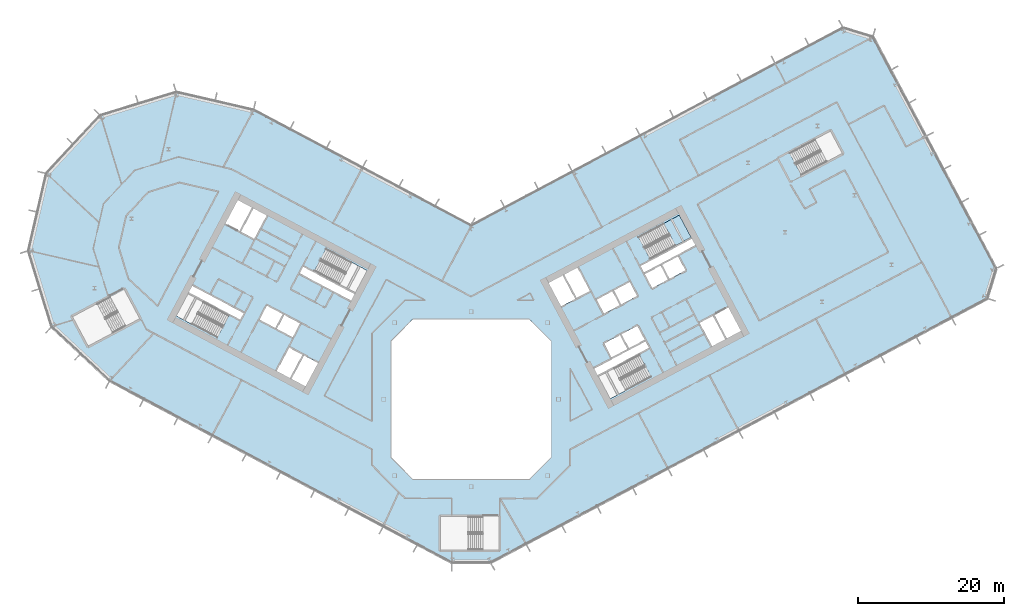
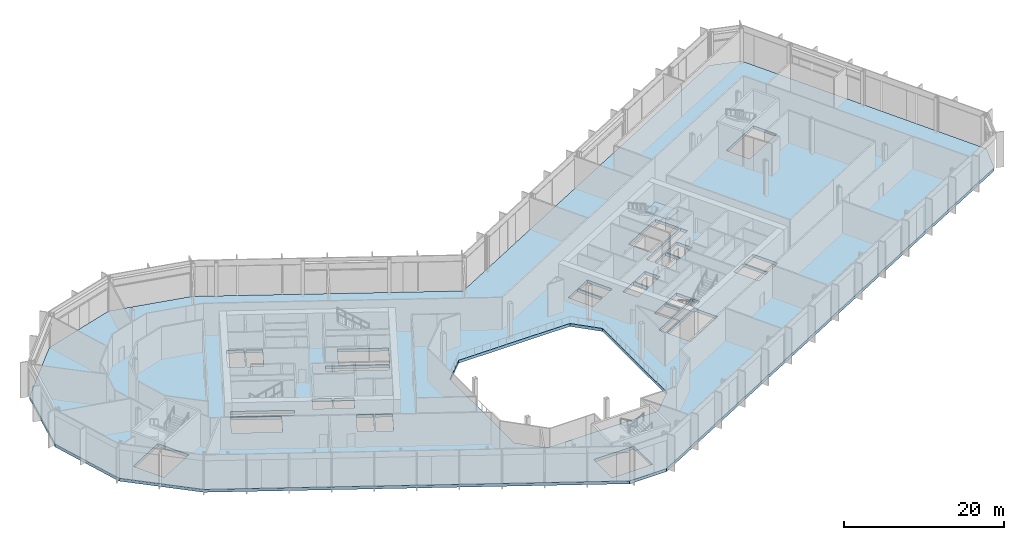
# One storey, part 10 of 31: 2 slabs, 1 element without a shape of its own.
"""IFC4 building model written with IfcOpenShell, lengths in metres."""

import ifcopenshell
import ifcopenshell.guid

model = None  # the IFC model being written
_history = None  # IfcOwnerHistory: only IFC2X3 demands one
_inside = {}  # id of a spatial element -> (the spatial element, [elements in it])
_under = {}  # id of a project, library or spatial element -> (it, [spatial elements below it])
_declared = {}  # id of a project -> (the project, [libraries it declares])
_typed = {}  # id of a type object -> (the type object, [elements of that type])
_made_of = {}  # id of a material, layer set ... -> (it, [elements and type objects made of it])


def new_model(schema):
    """Start an empty IFC model of exactly this schema.

    Asked for "IFC4X3", IfcOpenShell would pick the latest addendum, in which some entities
    have other attributes; the version numbers below select the first issue.
    IFC2X3 requires an IfcOwnerHistory on every rooted entity: one is made here for all.
    """
    global model, _history
    if schema == "IFC4X3":
        model = ifcopenshell.file(schema_version=(4, 3, 0, 0))
    else:
        model = ifcopenshell.file(schema=schema)
    _inside.clear()
    _under.clear()
    _declared.clear()
    _typed.clear()
    _made_of.clear()
    _history = None
    if model.schema == "IFC2X3":
        org = make("IfcOrganization", Name="unknown")
        user = make(
            "IfcPersonAndOrganization",
            ThePerson=make("IfcPerson", FamilyName="unknown"),
            TheOrganization=org,
        )
        app = make(
            "IfcApplication",
            ApplicationDeveloper=org,
            Version="unknown",
            ApplicationFullName="unknown",
            ApplicationIdentifier="unknown",
        )
        _history = make(
            "IfcOwnerHistory",
            OwningUser=user,
            OwningApplication=app,
            ChangeAction="ADDED",
            CreationDate=0,
        )
    return model


def make(cls, **values):
    """One entity of the class cls with the attributes given. An attribute that is None is left unset."""
    return model.create_entity(
        cls, **{name: value for name, value in values.items() if value is not None}
    )


def rooted(cls, **values):
    """An entity with a GlobalId (a new one), such as an element, a storey or a relation."""
    return make(cls, GlobalId=ifcopenshell.guid.new(), OwnerHistory=_history, **values)


def si_unit(unit_type, name, prefix=None):
    """IfcSIUnit, for example si_unit("LENGTHUNIT", "METRE", prefix="MILLI")."""
    return make("IfcSIUnit", UnitType=unit_type, Prefix=prefix, Name=name)


def assignment(units):
    """IfcUnitAssignment: the units of a project."""
    return None if units is None else make("IfcUnitAssignment", Units=units)


def point(xyz):
    """IfcCartesianPoint."""
    return None if xyz is None else make("IfcCartesianPoint", Coordinates=xyz)


def direction(xyz):
    """IfcDirection."""
    return None if xyz is None else make("IfcDirection", DirectionRatios=xyz)


def frame(location, z_axis=None, x_axis=None):
    """IfcAxis2Placement3D, a coordinate frame: its origin and axes. An axis left out is left unset."""
    return make(
        "IfcAxis2Placement3D",
        Location=point(location),
        Axis=direction(z_axis),
        RefDirection=direction(x_axis),
    )


def origin():
    """The frame at (0, 0, 0) with its axes left unset."""
    return frame((0.0, 0.0, 0.0))


def place(relative_to, where):
    """IfcLocalPlacement: puts the frame where relative to a parent placement (None: the world)."""
    return make(
        "IfcLocalPlacement", PlacementRelTo=relative_to, RelativePlacement=where
    )


def context(
    kind, dimensions, precision=None, world=None, true_north=None, identifier=None
):
    """IfcGeometricRepresentationContext, for example the 3D "Model" context."""
    return make(
        "IfcGeometricRepresentationContext",
        ContextIdentifier=identifier,
        ContextType=kind,
        CoordinateSpaceDimension=dimensions,
        Precision=precision,
        WorldCoordinateSystem=world,
        TrueNorth=true_north,
    )


def subcontext(parent, identifier, kind, view, scale=None):
    """IfcGeometricRepresentationSubContext, for example "Body" below "Model"."""
    return make(
        "IfcGeometricRepresentationSubContext",
        ContextIdentifier=identifier,
        ContextType=kind,
        ParentContext=parent,
        TargetScale=scale,
        TargetView=view,
    )


def project(units=None, contexts=None):
    """IfcProject with its units and contexts."""
    return rooted(
        "IfcProject",
        Name="project",
        RepresentationContexts=contexts,
        UnitsInContext=assignment(units),
    )


def spatial(cls, under=None, at=None, **own):
    """A site, building, storey or space (cls), placed at a placement, below another one or the project."""
    s = rooted(cls, ObjectPlacement=at, **own)
    if under is not None:
        _under.setdefault(under.id(), (under, []))[1].append(s)
    return s


def polyline(points):
    """IfcPolyline through the points."""
    return make("IfcPolyline", Points=[point(p) for p in points])


def outline(outer, holes=None, kind="AREA"):
    """IfcArbitraryClosedProfileDef: a profile drawn as a closed curve; with holes, ...WithVoids."""
    if holes is None:
        return make("IfcArbitraryClosedProfileDef", ProfileType=kind, OuterCurve=outer)
    return make(
        "IfcArbitraryProfileDefWithVoids",
        ProfileType=kind,
        OuterCurve=outer,
        InnerCurves=holes,
    )


def extrude(swept, where, along, depth):
    """IfcExtrudedAreaSolid: the profile swept, set in the frame where, extruded along a direction by depth."""
    return make(
        "IfcExtrudedAreaSolid",
        SweptArea=swept,
        Position=where,
        ExtrudedDirection=direction(along),
        Depth=depth,
    )


def shape(context_of_items, identifier, shape_type, items):
    """IfcShapeRepresentation: the items that make up one representation, for example the "Body"."""
    return make(
        "IfcShapeRepresentation",
        ContextOfItems=context_of_items,
        RepresentationIdentifier=identifier,
        RepresentationType=shape_type,
        Items=items,
    )


def material(Name=None, Category=None):
    """IfcMaterial."""
    return make("IfcMaterial", Name=Name, Category=Category)


def layer(
    of_material, thickness, ventilated=None, Name=None, Category=None, Priority=None
):
    """IfcMaterialLayer: one layer of a wall or slab, of a material (None: an air gap)."""
    return make(
        "IfcMaterialLayer",
        Material=of_material,
        LayerThickness=thickness,
        IsVentilated=ventilated,
        Name=Name,
        Category=Category,
        Priority=Priority,
    )


def layer_set(layers, Name=None):
    """IfcMaterialLayerSet."""
    return make("IfcMaterialLayerSet", MaterialLayers=layers, LayerSetName=Name)


def made_of(thing, what):
    """Note that an element or type object is made of a material, layer set ...; save() writes the relation."""
    if what is not None:
        _made_of.setdefault(what.id(), (what, []))[1].append(thing)
    return thing


def type_object(cls, material=None, **own):
    """A type object (cls), such as IfcWallType, which elements share."""
    return made_of(rooted(cls, **own), material)


def element(
    cls,
    number,
    at=None,
    inside=None,
    cuts=None,
    type_object=None,
    material=None,
    context=None,
    identifier="Body",
    shape_type=None,
    held_by="IfcProductDefinitionShape",
    body=None,
    shapes=None,
    **own,
):
    """One element of the class cls, such as IfcWall. Its Tag is "e" and its number.

    at: its placement. inside: the storey or other place that contains it. cuts: it is an
    opening in that element (IfcRelVoidsElement). A single representation is given by context,
    identifier, shape_type and body (its items); several are given by shapes. held_by: the class
    of the entity that holds the representations. save() writes the other relations.
    """
    e = rooted(cls, Tag="e%d" % number, ObjectPlacement=at, **own)
    if body is not None:
        shapes = [shape(context, identifier, shape_type, body)]
    if shapes is not None:
        e.Representation = make(held_by, Representations=shapes)
    if inside is not None:
        _inside.setdefault(inside.id(), (inside, []))[1].append(e)
    if cuts is not None:
        rooted(
            "IfcRelVoidsElement", RelatingBuildingElement=cuts, RelatedOpeningElement=e
        )
    if type_object is not None:
        _typed.setdefault(type_object.id(), (type_object, []))[1].append(e)
    return made_of(e, material)


def aggregate(whole, parts):
    """IfcRelAggregates: a whole, such as a stair, and the parts it consists of."""
    return rooted("IfcRelAggregates", RelatingObject=whole, RelatedObjects=parts)


def save(model, path):
    """Write the relations noted so far, then the file.

    IfcRelAggregates (storeys below a building ...), IfcRelContainedInSpatialStructure (elements
    in a storey), IfcRelDefinesByType, IfcRelAssociatesMaterial and IfcRelDeclares: one each for
    every whole, place, type object, material and project.
    """
    for whole, parts in _under.values():
        aggregate(whole, parts)
    for where, things in _inside.values():
        rooted(
            "IfcRelContainedInSpatialStructure",
            RelatedElements=things,
            RelatingStructure=where,
        )
    for kind, things in _typed.values():
        rooted("IfcRelDefinesByType", RelatedObjects=things, RelatingType=kind)
    for what, things in _made_of.values():
        rooted("IfcRelAssociatesMaterial", RelatedObjects=things, RelatingMaterial=what)
    for by, libraries in _declared.values():
        rooted("IfcRelDeclares", RelatingContext=by, RelatedDefinitions=libraries)
    model.write(path)


model = new_model("IFC4")

# Units and contexts
model_context = context("Model", 3, precision=1e-05, world=origin(), true_north=direction((0.0, 1.0)))
body_context = subcontext(model_context, "Body", "Model", "MODEL_VIEW")
ifc_project = project(units=[si_unit("LENGTHUNIT", "METRE"), si_unit("AREAUNIT", "SQUARE_METRE"), si_unit("VOLUMEUNIT", "CUBIC_METRE"), si_unit("PLANEANGLEUNIT", "RADIAN"), si_unit("MASSUNIT", "GRAM", prefix="KILO")], contexts=[model_context])

# Site, building, storey
site_placement = place(None, origin())
site = spatial("IfcSite", under=ifc_project, at=site_placement, CompositionType="ELEMENT")
building_placement = place(site_placement, origin())
building = spatial("IfcBuilding", under=site, at=building_placement, Name="Cormorant Relay Tower", CompositionType="ELEMENT")
storey_placement = place(building_placement, frame((0.0, 0.0, 50.0)))
storey = spatial("IfcBuildingStorey", under=building, at=storey_placement, Name="L09", CompositionType="ELEMENT", Elevation=50.0)

# Stair, slab
ifc_material_1 = material(Name="Concrete 40 MPa", Category="concrete")
stair_type = type_object("IfcStairType", Name="Exit stair 1500", PredefinedType="HALF_TURN_STAIR", material=ifc_material_1)
stair_placement = place(storey_placement, origin())
stair = element("IfcStair", 1, at=stair_placement, inside=storey, type_object=stair_type, Name="L09 Stair", PredefinedType="HALF_TURN_STAIR")
ifc_material_2 = material(Name="Concrete 40 MPa", Category="concrete")
ifc_layer_1 = layer(ifc_material_2, 0.199951171875)
ifc_layer_set_1 = layer_set([ifc_layer_1], Name="Exit stair landing 200")
slab_type_1 = type_object("IfcSlabType", Name="Exit stair landing 200", PredefinedType="LANDING", material=ifc_layer_set_1)
slab_1_placement = place(storey_placement, frame((0.0, 0.0, 2.5)))
slab_1 = element("IfcSlab", 2, at=slab_1_placement, type_object=slab_type_1, Name="B2 landing 1", PredefinedType="LANDING", context=body_context, shape_type="SweptSolid", body=[
    extrude(outline(polyline([(28.05322265625, 21.088623046875), (30.19873046875, 22.2294921875), (28.5791015625, 25.275634765625), (26.43359375, 24.134765625), (28.05322265625, 21.088623046875)])), origin(), (0.0, 0.0, 1.0), 0.199951171875),
])
aggregate(stair, [slab_1])

# Slab
ifc_material_3 = material(Name="Concrete 40 MPa", Category="concrete")
ifc_layer_2 = layer(ifc_material_3, 0.449951171875)
ifc_layer_set_2 = layer_set([ifc_layer_2], Name="Flat plate 450")
slab_type_2 = type_object("IfcSlabType", Name="Flat plate 450", PredefinedType="FLOOR", material=ifc_layer_set_2)
slab_2_placement = place(storey_placement, frame((0.0, 0.0, -0.449951171875)))
element("IfcSlab", 3, at=slab_2_placement, inside=storey, type_object=slab_type_2, Name="Floor slab L09", PredefinedType="FLOOR", context=body_context, shape_type="SweptSolid", body=[
    extrude(outline(polyline([(-60.7197265625, 20.393310546875), (-58.2744140625, 30.985107421875), (-50.86083984375, 38.935302734375), (-40.465576171875, 42.11328125), (-29.873779296875, 39.668212890625), (0.0, 23.783935546875), (51.064453125, 50.935302734375), (55.12158203125, 49.695068359375), (72.022705078125, 17.908935546875), (70.7822265625, 13.8515625), (2.648681640625, -22.37548828125), (-2.648681640625, -22.37548828125), (-49.591552734375, 2.584228515625), (-57.541748046875, 9.997802734375), (-60.7197265625, 20.393310546875)]), holes=[polyline([(11.0, -8.0), (11.0, 8.0), (8.0, 11.0), (-8.0, 11.0), (-11.0, 8.0), (-11.0, -8.0), (-8.0, -11.0), (8.0, -11.0), (11.0, -8.0)]), polyline([(-4.199951171875, -16.125), (-4.199951171875, -20.675048828125), (1.60009765625, -20.675048828125), (1.60009765625, -16.125), (-4.199951171875, -16.125)]), polyline([(-22.95458984375, 6.03271484375), (-24.668212890625, 2.81005859375), (-22.725830078125, 1.777099609375), (-21.01220703125, 5.0), (-23.04296875, 6.07958984375), (-22.95458984375, 6.03271484375)]), polyline([(-24.985595703125, 7.112548828125), (-26.69921875, 3.889892578125), (-24.844970703125, 2.90380859375), (-23.13134765625, 6.126708984375), (-23.04296875, 6.07958984375), (-24.985595703125, 7.112548828125)]), polyline([(-24.481201171875, 8.48681640625), (-23.448486328125, 10.42919921875), (-25.656005859375, 11.602783203125), (-26.688720703125, 9.660400390625), (-24.481201171875, 8.48681640625)]), polyline([(-49.57861328125, 14.0537109375), (-54.69970703125, 11.330810546875), (-52.563720703125, 7.3134765625), (-47.442626953125, 10.036376953125), (-49.57861328125, 14.0537109375)]), polyline([(-25.83251953125, 11.69677734375), (-28.039794921875, 12.870361328125), (-29.07275390625, 10.927978515625), (-26.865234375, 9.75439453125), (-25.83251953125, 11.69677734375)]), polyline([(-38.847900390625, 14.483154296875), (-40.46728515625, 11.43701171875), (-34.860595703125, 8.455810546875), (-33.240966796875, 11.502197265625), (-38.847900390625, 14.483154296875)]), polyline([(-38.260986328125, 15.5869140625), (-38.75390625, 14.659912109375), (-31.690185546875, 10.904052734375), (-31.197265625, 11.8310546875), (-38.260986328125, 15.5869140625)]), polyline([(14.3056640625, 13.779052734375), (12.592041015625, 17.001708984375), (10.649658203125, 15.968994140625), (12.36328125, 12.74609375), (14.39404296875, 13.825927734375), (14.3056640625, 13.779052734375)]), polyline([(16.33642578125, 14.85888671875), (14.622802734375, 18.08154296875), (12.768798828125, 17.095703125), (14.482421875, 13.872802734375), (14.39404296875, 13.825927734375), (16.33642578125, 14.85888671875)]), polyline([(-16.481689453125, 13.520263671875), (-15.989013671875, 14.447509765625), (-23.052490234375, 18.203125), (-23.54541015625, 17.276123046875), (-16.481689453125, 13.520263671875)]), polyline([(-21.501708984375, 17.605224609375), (-15.89501953125, 14.6240234375), (-14.275390625, 17.670166015625), (-19.882080078125, 20.6513671875), (-21.501708984375, 17.605224609375)]), polyline([(-31.611572265625, 22.980712890625), (-29.75732421875, 21.99462890625), (-28.043701171875, 25.217529296875), (-29.89794921875, 26.203369140625), (-31.611572265625, 22.980712890625)]), polyline([(-33.73046875, 24.107421875), (-31.7880859375, 23.074462890625), (-30.074462890625, 26.29736328125), (-32.01708984375, 27.330078125), (-33.73046875, 24.107421875)]), polyline([(23.087158203125, 6.10302734375), (17.48046875, 3.1220703125), (19.10009765625, 0.07568359375), (24.706787109375, 3.056884765625), (23.087158203125, 6.10302734375)]), polyline([(16.8935546875, 4.2255859375), (17.386474609375, 3.298583984375), (24.4501953125, 7.054443359375), (23.957275390625, 7.9814453125), (16.8935546875, 4.2255859375)]), polyline([(20.446533203125, 8.8330078125), (18.239013671875, 7.6591796875), (19.27197265625, 5.716796875), (21.479248046875, 6.890380859375), (20.446533203125, 8.8330078125)]), polyline([(20.623046875, 8.927001953125), (21.656005859375, 6.984375), (23.86328125, 8.158203125), (22.830322265625, 10.1005859375), (20.623046875, 8.927001953125)]), polyline([(33.197021484375, 11.478515625), (31.3427734375, 10.49267578125), (33.056396484375, 7.27001953125), (34.910400390625, 8.255859375), (33.197021484375, 11.478515625)]), polyline([(33.37353515625, 11.572509765625), (35.087158203125, 8.349609375), (37.029541015625, 9.382568359375), (35.31591796875, 12.605224609375), (33.37353515625, 11.572509765625)]), polyline([(17.19384765625, 13.67236328125), (18.2265625, 11.72998046875), (20.43408203125, 12.903564453125), (19.401123046875, 14.84619140625), (17.19384765625, 13.67236328125)]), polyline([(20.610595703125, 12.99755859375), (22.81787109375, 14.171142578125), (21.78515625, 16.113525390625), (19.57763671875, 14.93994140625), (20.610595703125, 12.99755859375)]), polyline([(26.023193359375, 18.3671875), (23.81591796875, 17.193359375), (24.8486328125, 15.2509765625), (27.05615234375, 16.424560546875), (26.023193359375, 18.3671875)]), polyline([(29.440185546875, 17.692138671875), (28.4072265625, 19.634765625), (26.19970703125, 18.4609375), (27.232666015625, 16.5185546875), (29.440185546875, 17.692138671875)]), polyline([(30.78564453125, 21.125732421875), (30.29248046875, 22.052978515625), (23.22900390625, 18.297119140625), (23.721923828125, 17.3701171875), (30.78564453125, 21.125732421875)]), polyline([(24.592041015625, 19.248291015625), (30.19873046875, 22.2294921875), (28.5791015625, 25.275634765625), (22.972412109375, 22.29443359375), (24.592041015625, 19.248291015625)]), polyline([(45.3349609375, 30.773681640625), (50.941650390625, 33.7548828125), (49.322021484375, 36.801025390625), (43.715087890625, 33.81982421875), (45.3349609375, 30.773681640625)])]), origin(), (0.0, 0.0, 1.0), 0.449951171875),
])

save(model, "model.ifc")
